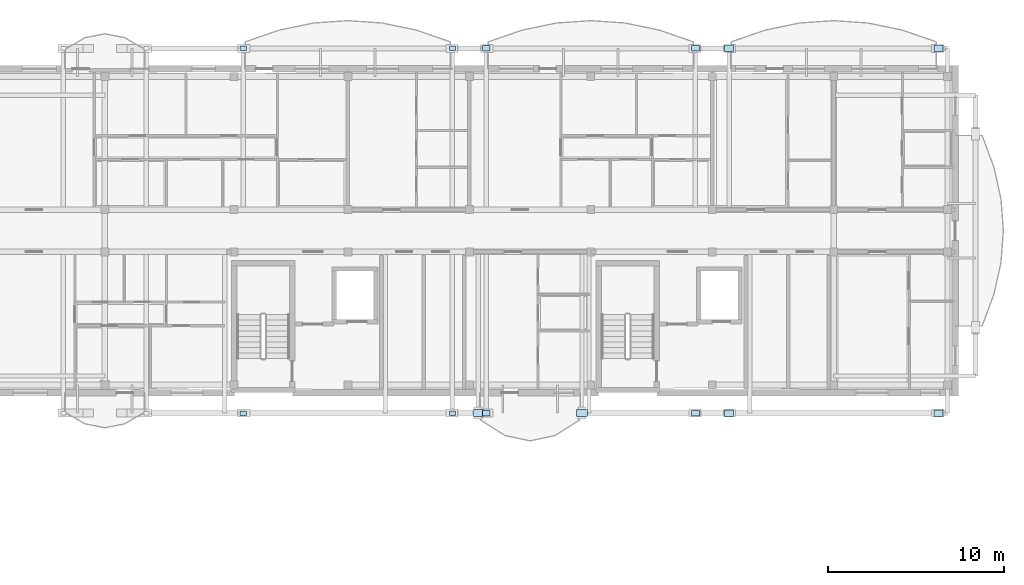
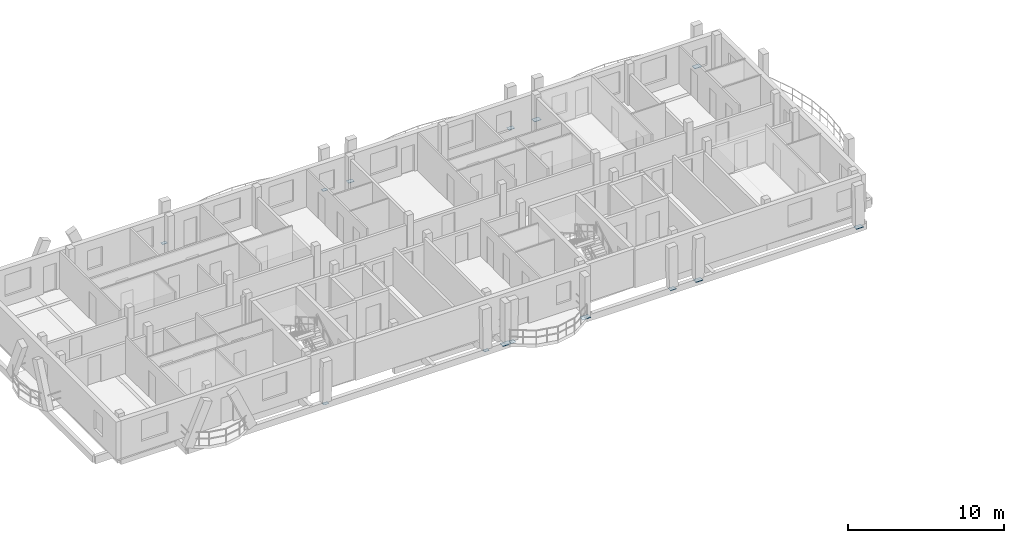
# One storey, part 14 of 48: 14 plates.
"""IFC4 building model written with IfcOpenShell, lengths in metres."""

from ifc_helpers import new_model, si_unit, direction, frame, origin, origin_2d, place, context, subcontext, project, spatial, rectangle, extrude, material, layer, layer_set, type_object, element, save


model = new_model("IFC4")

# Units and contexts
model_context = context("Model", 3, precision=1e-05, world=origin(), true_north=direction((0.0, 1.0)))
body_context = subcontext(model_context, "Body", "Model", "MODEL_VIEW")
ifc_project = project(units=[si_unit("LENGTHUNIT", "METRE"), si_unit("AREAUNIT", "SQUARE_METRE"), si_unit("VOLUMEUNIT", "CUBIC_METRE"), si_unit("PLANEANGLEUNIT", "RADIAN"), si_unit("MASSUNIT", "GRAM", prefix="KILO")], contexts=[model_context])

# Site, building, storey
site_placement = place(None, origin())
site = spatial("IfcSite", under=ifc_project, at=site_placement, CompositionType="ELEMENT")
building_placement = place(site_placement, origin())
building = spatial("IfcBuilding", under=site, at=building_placement, Name="Zavelmont Quarter", CompositionType="ELEMENT")
storey_placement = place(building_placement, frame((0.0, 0.0, 17.60009765625)))
storey = spatial("IfcBuildingStorey", under=building, at=storey_placement, Name="L05", CompositionType="ELEMENT", Elevation=17.60009765625)

# Plates
ifc_material = material(Name="Steel S355", Category="steel")
ifc_layer_1 = layer(ifc_material, 0.02392578125)
ifc_layer_set_1 = layer_set([ifc_layer_1], Name="Steel S355")
plate_type_1 = type_object("IfcPlateType", Name="NP02", PredefinedType="SHEET", material=ifc_layer_set_1)
for number, where, z_axis, x_axis, name in (
    (1, (127.558837890625, 117.162109375, -0.212158203125), (0.0, 0.0, 1.0), (1.0, 0.0, 0.0), "L05 steel connection plate NP02 at 19/S"),
    (2, (139.441162109375, 117.162109375, -0.212158203125), (0.0, 0.0, 1.0), (1.0, 0.0, 0.0), "L05 steel connection plate NP02 at 21/S"),
    (3, (127.558837890625, 96.43798828125, -0.212158203125), (0.0, 0.0, 1.0), (1.0, 0.0, 0.0), "L05 steel connection plate NP02 at 19/P"),
    (4, (139.441162109375, 96.43798828125, -0.212158203125), (0.0, 0.0, 1.0), (1.0, 0.0, 0.0), "L05 steel connection plate NP02 at 21/P"),
):
    element("IfcPlate", number, at=place(storey_placement, frame(where, z_axis=z_axis, x_axis=x_axis)), inside=storey, type_object=plate_type_1, Name=name, PredefinedType="SHEET", context=body_context, shape_type="SweptSolid", body=[
        extrude(rectangle(XDim=0.360107421875, YDim=0.260009765625, at=origin_2d()), origin(), (0.0, 0.0, 1.0), 0.02392578125),
    ])
ifc_layer_2 = layer(ifc_material, 0.02490234375)
ifc_layer_set_2 = layer_set([ifc_layer_2], Name="Steel S355")
plate_type_2 = type_object("IfcPlateType", Name="NP03", PredefinedType="SHEET", material=ifc_layer_set_2)
for number, where, z_axis, x_axis, name in (
    (5, (141.35888671875, 117.162109375, -0.212646484375), (0.0, 0.0, 1.0), (1.0, 0.0, 0.0), "L05 steel connection plate NP03 at 21/S"),
    (6, (153.2412109375, 117.162109375, -0.212646484375), (0.0, 0.0, 1.0), (1.0, 0.0, 0.0), "L05 steel connection plate NP03 at 23/S"),
    (7, (141.35888671875, 96.43798828125, -0.212646484375), (0.0, 0.0, 1.0), (1.0, 0.0, 0.0), "L05 steel connection plate NP03 at 21/P"),
    (8, (153.2412109375, 96.43798828125, -0.212646484375), (0.0, 0.0, 1.0), (1.0, 0.0, 0.0), "L05 steel connection plate NP03 at 23/P"),
):
    element("IfcPlate", number, at=place(storey_placement, frame(where, z_axis=z_axis, x_axis=x_axis)), inside=storey, type_object=plate_type_2, Name=name, PredefinedType="SHEET", context=body_context, shape_type="SweptSolid", body=[
        extrude(rectangle(XDim=0.43994140625, YDim=0.320068359375, at=origin_2d()), origin(), (0.0, 0.0, 1.0), 0.02490234375),
    ])
ifc_layer_3 = layer(ifc_material, 0.028076171875)
ifc_layer_set_3 = layer_set([ifc_layer_3], Name="Steel S355")
plate_type_3 = type_object("IfcPlateType", Name="NP04", PredefinedType="SHEET", material=ifc_layer_set_3)
for number, where, z_axis, x_axis, name in (
    (9, (155.15869140625, 117.162109375, -0.21435546875), (0.0, 0.0, 1.0), (1.0, 0.0, 0.0), "L05 steel connection plate NP04 at 23/S"),
    (10, (167.041259765625, 117.162109375, -0.21435546875), (0.0, 0.0, 1.0), (1.0, 0.0, 0.0), "L05 steel connection plate NP04 at 25/S"),
    (11, (155.15869140625, 96.43798828125, -0.21435546875), (0.0, 0.0, 1.0), (1.0, 0.0, 0.0), "L05 steel connection plate NP04 at 23/P"),
    (12, (167.041259765625, 96.43798828125, -0.21435546875), (0.0, 0.0, 1.0), (1.0, 0.0, 0.0), "L05 steel connection plate NP04 at 25/P"),
):
    element("IfcPlate", number, at=place(storey_placement, frame(where, z_axis=z_axis, x_axis=x_axis)), inside=storey, type_object=plate_type_3, Name=name, PredefinedType="SHEET", context=body_context, shape_type="SweptSolid", body=[
        extrude(rectangle(XDim=0.52001953125, YDim=0.360107421875, at=origin_2d()), origin(), (0.0, 0.0, 1.0), 0.028076171875),
    ])
ifc_layer_4 = layer(ifc_material, 0.030029296875)
ifc_layer_set_4 = layer_set([ifc_layer_4], Name="Steel S355")
plate_type_4 = type_object("IfcPlateType", Name="NP05", PredefinedType="SHEET", material=ifc_layer_set_4)
for number, where, z_axis, x_axis, name in (
    (13, (140.89990234375, 96.43798828125, -0.21533203125), (0.0, 0.0, 1.0), (1.0, 0.0, 0.0), "L05 steel connection plate NP05 at 21/P"),
    (14, (146.800048828125, 96.43798828125, -0.21533203125), (0.0, 0.0, 1.0), (1.0, 0.0, 0.0), "L05 steel connection plate NP05 at 22/P"),
):
    element("IfcPlate", number, at=place(storey_placement, frame(where, z_axis=z_axis, x_axis=x_axis)), inside=storey, type_object=plate_type_4, Name=name, PredefinedType="SHEET", context=body_context, shape_type="SweptSolid", body=[
        extrude(rectangle(XDim=0.60009765625, YDim=0.39990234375, at=origin_2d()), origin(), (0.0, 0.0, 1.0), 0.030029296875),
    ])

save(model, "model.ifc")
